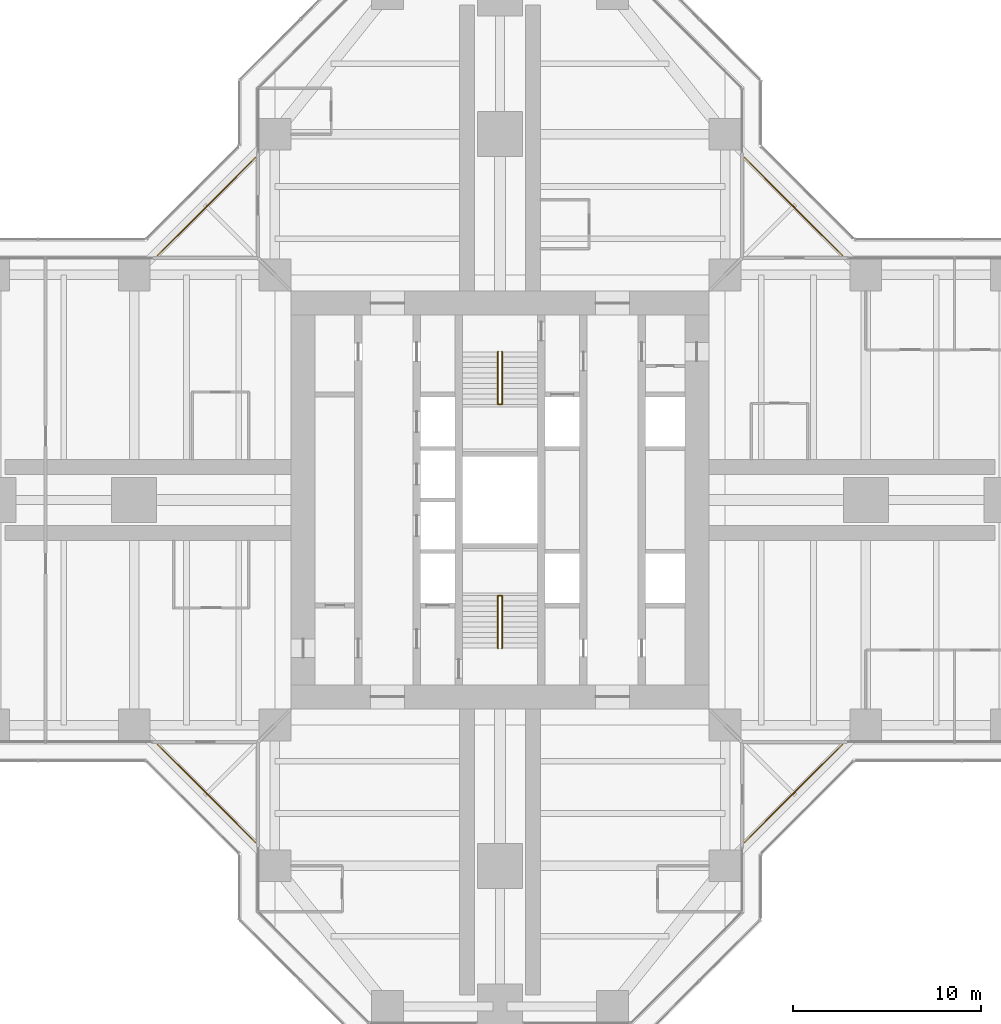
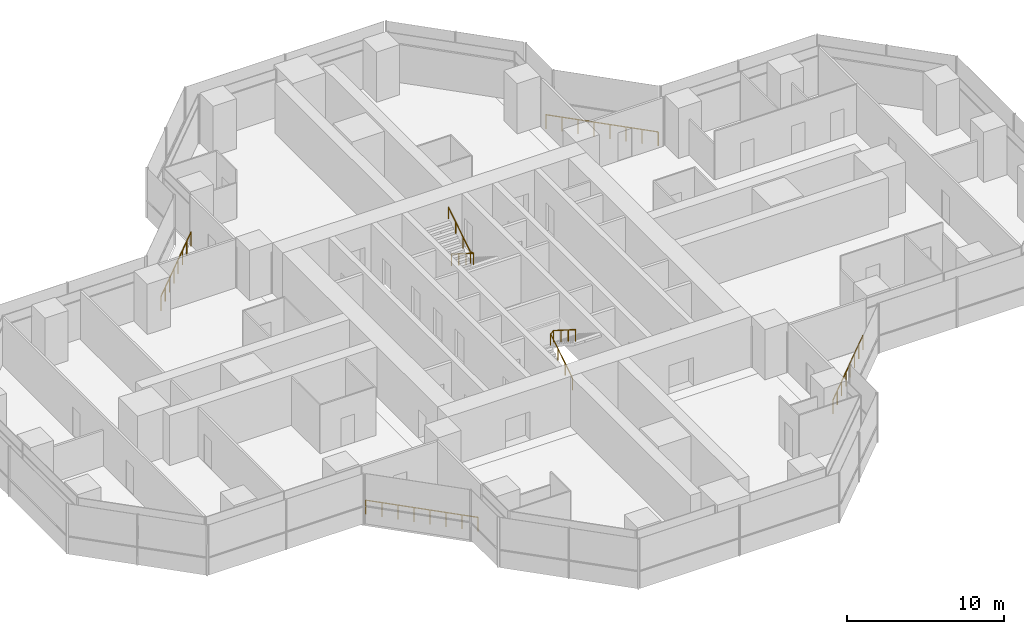
# One storey, part 20 of 20: 6 railings.
"""IFC4 building model written with IfcOpenShell, lengths in metres."""

from ifc_helpers import new_model, si_unit, direction, frame, origin, origin_2d, place, context, subcontext, project, spatial, circle, extrude, material, type_object, element, save


model = new_model("IFC4")

# Units and contexts
model_context = context("Model", 3, precision=1e-05, world=origin(), true_north=direction((0.0, 1.0)))
body_context = subcontext(model_context, "Body", "Model", "MODEL_VIEW")
ifc_project = project(units=[si_unit("LENGTHUNIT", "METRE"), si_unit("AREAUNIT", "SQUARE_METRE"), si_unit("VOLUMEUNIT", "CUBIC_METRE"), si_unit("PLANEANGLEUNIT", "RADIAN"), si_unit("MASSUNIT", "GRAM", prefix="KILO")], contexts=[model_context])

# Site, building, storey
site_placement = place(None, origin())
site = spatial("IfcSite", under=ifc_project, at=site_placement, CompositionType="ELEMENT")
building_placement = place(site_placement, origin())
building = spatial("IfcBuilding", under=site, at=building_placement, Name="Mizan Broadcast Tower", CompositionType="ELEMENT")
storey_placement = place(building_placement, frame((0.0, 0.0, 147.60009765625)))
storey = spatial("IfcBuildingStorey", under=building, at=storey_placement, Name="L33", CompositionType="ELEMENT", Elevation=147.60009765625)

# Railings
ifc_material_1 = material(Name="Stainless steel and glass guard", Category="steel")
railing_type_1 = type_object("IfcRailingType", Name="GUARD 1100", PredefinedType="GUARDRAIL", material=ifc_material_1)
railing_1_placement = place(storey_placement, frame((18.2578125, 13.030029296875, 0.0)))
element("IfcRailing", 1, at=railing_1_placement, inside=storey, type_object=railing_type_1, Name="Winter garden guard L33 E", PredefinedType="GUARDRAIL", context=body_context, shape_type="SweptSolid", body=[
    extrude(circle(Radius=0.02392578125, at=origin_2d()), frame((0.0, 0.0, 1.076171875), z_axis=(-0.707106781187, 0.707106781187, 0.0), x_axis=(-0.707106781187, -0.707106781187, 0.0)), (0.0, 0.0, 1.0), 7.393310546875),
    extrude(circle(Radius=0.02099609375, at=origin_2d()), origin(), (0.0, 0.0, 1.0), 1.052001953125),
    extrude(circle(Radius=0.02099609375, at=origin_2d()), frame((-0.746826171875, 0.746826171875, 0.0)), (0.0, 0.0, 1.0), 1.052001953125),
    extrude(circle(Radius=0.02099609375, at=origin_2d()), frame((-1.49365234375, 1.49365234375, 0.0)), (0.0, 0.0, 1.0), 1.052001953125),
    extrude(circle(Radius=0.02099609375, at=origin_2d()), frame((-2.240478515625, 2.240478515625, 0.0)), (0.0, 0.0, 1.0), 1.052001953125),
    extrude(circle(Radius=0.02099609375, at=origin_2d()), frame((-2.9873046875, 2.9873046875, 0.0)), (0.0, 0.0, 1.0), 1.052001953125),
    extrude(circle(Radius=0.02099609375, at=origin_2d()), frame((-3.734130859375, 3.734130859375, 0.0)), (0.0, 0.0, 1.0), 1.052001953125),
    extrude(circle(Radius=0.02099609375, at=origin_2d()), frame((-4.48095703125, 4.48095703125, 0.0)), (0.0, 0.0, 1.0), 1.052001953125),
    extrude(circle(Radius=0.02099609375, at=origin_2d()), frame((-5.227783203125, 5.227783203125, 0.0)), (0.0, 0.0, 1.0), 1.052001953125),
])
railing_2_placement = place(storey_placement, frame((-13.030029296875, 18.2578125, 0.0)))
element("IfcRailing", 2, at=railing_2_placement, inside=storey, type_object=railing_type_1, Name="Winter garden guard L33 N", PredefinedType="GUARDRAIL", context=body_context, shape_type="SweptSolid", body=[
    extrude(circle(Radius=0.02392578125, at=origin_2d()), frame((0.0, 0.0, 1.076171875), z_axis=(-0.707106781187, -0.707106781187, 0.0), x_axis=(0.707106781187, -0.707106781187, 0.0)), (0.0, 0.0, 1.0), 7.393310546875),
    extrude(circle(Radius=0.02099609375, at=origin_2d()), origin(), (0.0, 0.0, 1.0), 1.052001953125),
    extrude(circle(Radius=0.02099609375, at=origin_2d()), frame((-0.746826171875, -0.746826171875, 0.0)), (0.0, 0.0, 1.0), 1.052001953125),
    extrude(circle(Radius=0.02099609375, at=origin_2d()), frame((-1.49365234375, -1.49365234375, 0.0)), (0.0, 0.0, 1.0), 1.052001953125),
    extrude(circle(Radius=0.02099609375, at=origin_2d()), frame((-2.240478515625, -2.240478515625, 0.0)), (0.0, 0.0, 1.0), 1.052001953125),
    extrude(circle(Radius=0.02099609375, at=origin_2d()), frame((-2.9873046875, -2.9873046875, 0.0)), (0.0, 0.0, 1.0), 1.052001953125),
    extrude(circle(Radius=0.02099609375, at=origin_2d()), frame((-3.734130859375, -3.734130859375, 0.0)), (0.0, 0.0, 1.0), 1.052001953125),
    extrude(circle(Radius=0.02099609375, at=origin_2d()), frame((-4.48095703125, -4.48095703125, 0.0)), (0.0, 0.0, 1.0), 1.052001953125),
    extrude(circle(Radius=0.02099609375, at=origin_2d()), frame((-5.227783203125, -5.227783203125, 0.0)), (0.0, 0.0, 1.0), 1.052001953125),
])
railing_3_placement = place(storey_placement, frame((-18.2578125, -13.030029296875, 0.0)))
element("IfcRailing", 3, at=railing_3_placement, inside=storey, type_object=railing_type_1, Name="Winter garden guard L33 W", PredefinedType="GUARDRAIL", context=body_context, shape_type="SweptSolid", body=[
    extrude(circle(Radius=0.02392578125, at=origin_2d()), frame((0.0, 0.0, 1.076171875), z_axis=(0.707106781187, -0.707106781187, 0.0), x_axis=(0.707106781187, 0.707106781187, 0.0)), (0.0, 0.0, 1.0), 7.393310546875),
    extrude(circle(Radius=0.02099609375, at=origin_2d()), origin(), (0.0, 0.0, 1.0), 1.052001953125),
    extrude(circle(Radius=0.02099609375, at=origin_2d()), frame((0.746826171875, -0.746826171875, 0.0)), (0.0, 0.0, 1.0), 1.052001953125),
    extrude(circle(Radius=0.02099609375, at=origin_2d()), frame((1.49365234375, -1.49365234375, 0.0)), (0.0, 0.0, 1.0), 1.052001953125),
    extrude(circle(Radius=0.02099609375, at=origin_2d()), frame((2.240478515625, -2.240478515625, 0.0)), (0.0, 0.0, 1.0), 1.052001953125),
    extrude(circle(Radius=0.02099609375, at=origin_2d()), frame((2.9873046875, -2.9873046875, 0.0)), (0.0, 0.0, 1.0), 1.052001953125),
    extrude(circle(Radius=0.02099609375, at=origin_2d()), frame((3.734130859375, -3.734130859375, 0.0)), (0.0, 0.0, 1.0), 1.052001953125),
    extrude(circle(Radius=0.02099609375, at=origin_2d()), frame((4.48095703125, -4.48095703125, 0.0)), (0.0, 0.0, 1.0), 1.052001953125),
    extrude(circle(Radius=0.02099609375, at=origin_2d()), frame((5.227783203125, -5.227783203125, 0.0)), (0.0, 0.0, 1.0), 1.052001953125),
])
railing_4_placement = place(storey_placement, frame((13.030029296875, -18.2578125, 0.0)))
element("IfcRailing", 4, at=railing_4_placement, inside=storey, type_object=railing_type_1, Name="Winter garden guard L33 S", PredefinedType="GUARDRAIL", context=body_context, shape_type="SweptSolid", body=[
    extrude(circle(Radius=0.02392578125, at=origin_2d()), frame((0.0, 0.0, 1.076171875), z_axis=(0.707106781187, 0.707106781187, 0.0), x_axis=(-0.707106781187, 0.707106781187, 0.0)), (0.0, 0.0, 1.0), 7.393310546875),
    extrude(circle(Radius=0.02099609375, at=origin_2d()), origin(), (0.0, 0.0, 1.0), 1.052001953125),
    extrude(circle(Radius=0.02099609375, at=origin_2d()), frame((0.746826171875, 0.746826171875, 0.0)), (0.0, 0.0, 1.0), 1.052001953125),
    extrude(circle(Radius=0.02099609375, at=origin_2d()), frame((1.49365234375, 1.49365234375, 0.0)), (0.0, 0.0, 1.0), 1.052001953125),
    extrude(circle(Radius=0.02099609375, at=origin_2d()), frame((2.240478515625, 2.240478515625, 0.0)), (0.0, 0.0, 1.0), 1.052001953125),
    extrude(circle(Radius=0.02099609375, at=origin_2d()), frame((2.9873046875, 2.9873046875, 0.0)), (0.0, 0.0, 1.0), 1.052001953125),
    extrude(circle(Radius=0.02099609375, at=origin_2d()), frame((3.734130859375, 3.734130859375, 0.0)), (0.0, 0.0, 1.0), 1.052001953125),
    extrude(circle(Radius=0.02099609375, at=origin_2d()), frame((4.48095703125, 4.48095703125, 0.0)), (0.0, 0.0, 1.0), 1.052001953125),
    extrude(circle(Radius=0.02099609375, at=origin_2d()), frame((5.227783203125, 5.227783203125, 0.0)), (0.0, 0.0, 1.0), 1.052001953125),
])
ifc_material_2 = material(Name="Stainless steel", Category="steel")
railing_type_2 = type_object("IfcRailingType", Name="HANDRAIL 50", PredefinedType="HANDRAIL", material=ifc_material_2)
railing_5_placement = place(storey_placement, frame((-0.110107421875, -7.89990234375, 0.17724609375)))
element("IfcRailing", 5, at=railing_5_placement, inside=storey, type_object=railing_type_2, Name="Stair A handrail", PredefinedType="HANDRAIL", context=body_context, shape_type="SweptSolid", body=[
    extrude(circle(Radius=0.02392578125, at=origin_2d()), frame((0.0, 0.0, 0.8759765625), z_axis=(0.0, 0.844887892834, 0.53494340686), x_axis=(-1.0, 0.0, 0.0)), (0.0, 0.0, 1.0), 3.313720703125),
    extrude(circle(Radius=0.02392578125, at=origin_2d()), frame((0.0, 2.7998046875, 2.6484375), z_axis=(0.779011685263, 0.0, 0.627009405212), x_axis=(0.0, 1.0, 0.0)), (0.0, 0.0, 1.0), 0.28271484375),
    extrude(circle(Radius=0.02392578125, at=origin_2d()), frame((0.22021484375, 2.7998046875, 2.82568359375), z_axis=(0.0, -0.844887892834, 0.53494340686), x_axis=(1.0, 0.0, 0.0)), (0.0, 0.0, 1.0), 3.313720703125),
    extrude(circle(Radius=0.02099609375, at=origin_2d()), origin(), (0.0, 0.0, 1.0), 0.851806640625),
    extrude(circle(Radius=0.02099609375, at=origin_2d()), frame((0.0, 0.933349609375, 0.5908203125)), (0.0, 0.0, 1.0), 0.851806640625),
    extrude(circle(Radius=0.02099609375, at=origin_2d()), frame((0.0, 1.866455078125, 1.181884765625)), (0.0, 0.0, 1.0), 0.851806640625),
    extrude(circle(Radius=0.02099609375, at=origin_2d()), frame((0.0, 2.7998046875, 1.772705078125)), (0.0, 0.0, 1.0), 0.851806640625),
    extrude(circle(Radius=0.02099609375, at=origin_2d()), frame((0.22021484375, 2.7998046875, 1.949951171875)), (0.0, 0.0, 1.0), 0.851806640625),
    extrude(circle(Radius=0.02099609375, at=origin_2d()), frame((0.22021484375, 1.866455078125, 2.540771484375)), (0.0, 0.0, 1.0), 0.851806640625),
    extrude(circle(Radius=0.02099609375, at=origin_2d()), frame((0.22021484375, 0.933349609375, 3.1318359375)), (0.0, 0.0, 1.0), 0.851806640625),
    extrude(circle(Radius=0.02099609375, at=origin_2d()), frame((0.22021484375, 0.0, 3.72265625)), (0.0, 0.0, 1.0), 0.851806640625),
])
railing_6_placement = place(storey_placement, frame((0.110107421875, 7.89990234375, 0.17724609375)))
element("IfcRailing", 6, at=railing_6_placement, inside=storey, type_object=railing_type_2, Name="Stair B handrail", PredefinedType="HANDRAIL", context=body_context, shape_type="SweptSolid", body=[
    extrude(circle(Radius=0.02392578125, at=origin_2d()), frame((0.0, 0.0, 0.8759765625), z_axis=(0.0, -0.844887892834, 0.53494340686), x_axis=(1.0, 0.0, 0.0)), (0.0, 0.0, 1.0), 3.313720703125),
    extrude(circle(Radius=0.02392578125, at=origin_2d()), frame((0.0, -2.7998046875, 2.6484375), z_axis=(-0.779011685263, 0.0, 0.627009405212), x_axis=(0.0, -1.0, 0.0)), (0.0, 0.0, 1.0), 0.28271484375),
    extrude(circle(Radius=0.02392578125, at=origin_2d()), frame((-0.22021484375, -2.7998046875, 2.82568359375), z_axis=(0.0, 0.844887892834, 0.53494340686), x_axis=(-1.0, 0.0, 0.0)), (0.0, 0.0, 1.0), 3.313720703125),
    extrude(circle(Radius=0.02099609375, at=origin_2d()), origin(), (0.0, 0.0, 1.0), 0.851806640625),
    extrude(circle(Radius=0.02099609375, at=origin_2d()), frame((0.0, -0.933349609375, 0.5908203125)), (0.0, 0.0, 1.0), 0.851806640625),
    extrude(circle(Radius=0.02099609375, at=origin_2d()), frame((0.0, -1.866455078125, 1.181884765625)), (0.0, 0.0, 1.0), 0.851806640625),
    extrude(circle(Radius=0.02099609375, at=origin_2d()), frame((0.0, -2.7998046875, 1.772705078125)), (0.0, 0.0, 1.0), 0.851806640625),
    extrude(circle(Radius=0.02099609375, at=origin_2d()), frame((-0.22021484375, -2.7998046875, 1.949951171875)), (0.0, 0.0, 1.0), 0.851806640625),
    extrude(circle(Radius=0.02099609375, at=origin_2d()), frame((-0.22021484375, -1.866455078125, 2.540771484375)), (0.0, 0.0, 1.0), 0.851806640625),
    extrude(circle(Radius=0.02099609375, at=origin_2d()), frame((-0.22021484375, -0.933349609375, 3.1318359375)), (0.0, 0.0, 1.0), 0.851806640625),
    extrude(circle(Radius=0.02099609375, at=origin_2d()), frame((-0.22021484375, 0.0, 3.72265625)), (0.0, 0.0, 1.0), 0.851806640625),
])

save(model, "model.ifc")
